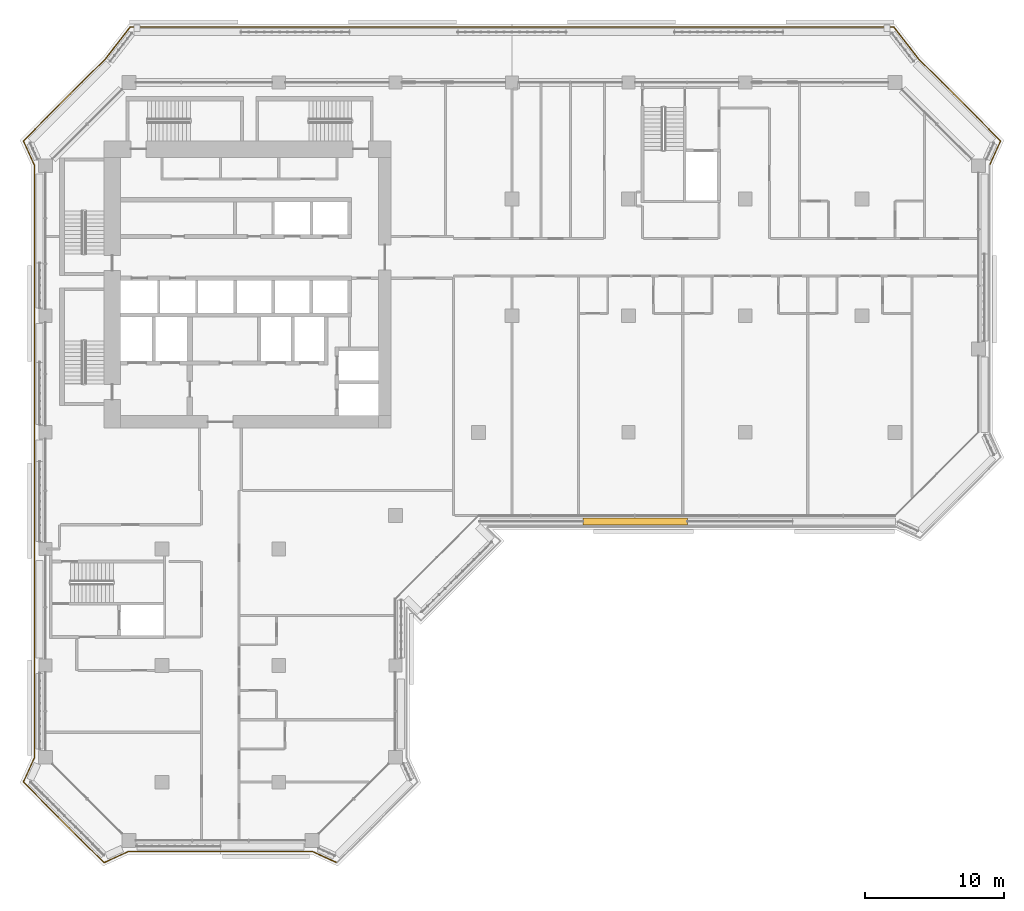
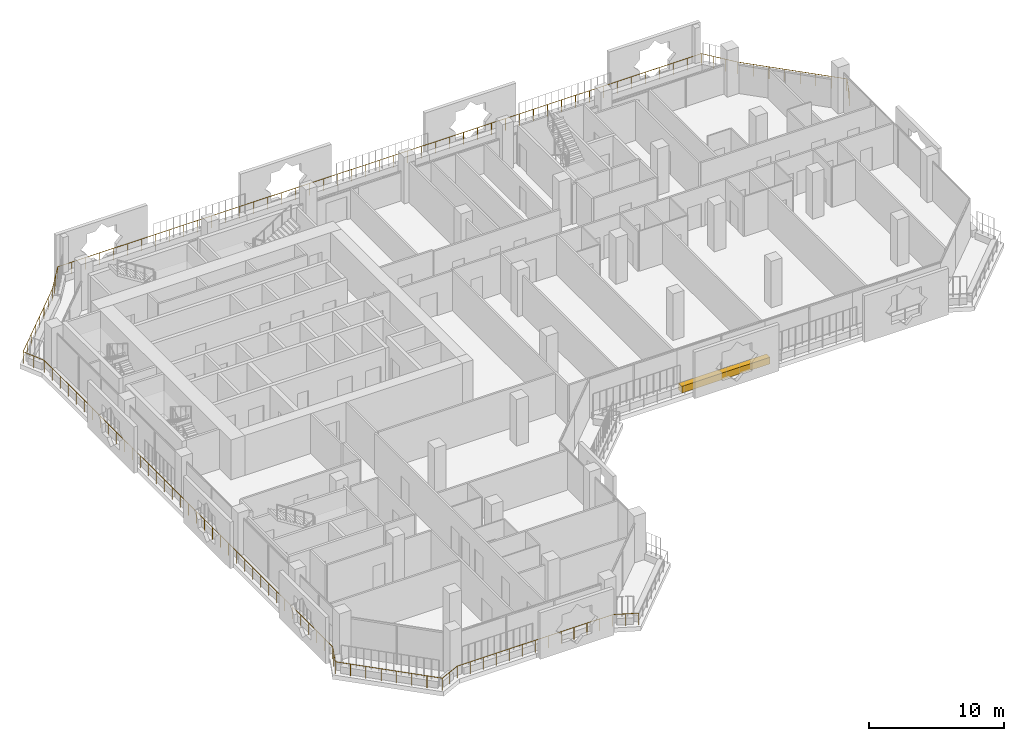
# One storey, part 18 of 22: 1 covering, 1 railing.
"""IFC4 building model written with IfcOpenShell, lengths in metres."""

from ifc_helpers import new_model, si_unit, direction, frame, origin, origin_2d, place, context, subcontext, project, spatial, rectangle, circle, extrude, material, material_profile, profile_set, type_object, element, save


model = new_model("IFC4")

# Units and contexts
model_context = context("Model", 3, precision=1e-05, world=origin(), true_north=direction((0.0, 1.0)))
body_context = subcontext(model_context, "Body", "Model", "MODEL_VIEW")
ifc_project = project(units=[si_unit("LENGTHUNIT", "METRE"), si_unit("AREAUNIT", "SQUARE_METRE"), si_unit("VOLUMEUNIT", "CUBIC_METRE"), si_unit("PLANEANGLEUNIT", "RADIAN"), si_unit("MASSUNIT", "GRAM", prefix="KILO")], contexts=[model_context])

# Site, building, storey
site_placement = place(None, origin())
site = spatial("IfcSite", under=ifc_project, at=site_placement, CompositionType="ELEMENT")
building_placement = place(site_placement, origin())
building = spatial("IfcBuilding", under=site, at=building_placement, Name="Kawkab Arch Medical Tower", CompositionType="ELEMENT")
storey_placement = place(building_placement, frame((0.0, 0.0, 187.800048828125)))
storey = spatial("IfcBuildingStorey", under=building, at=storey_placement, Name="L43", CompositionType="ELEMENT", Elevation=187.800048828125)

# Railing
ifc_material_1 = material(Name="Bronze anodised aluminium guard", Category="aluminium")
railing_type = type_object("IfcRailingType", Name="Loggia and terrace guard 1100", PredefinedType="GUARDRAIL", material=ifc_material_1)
railing_placement = place(storey_placement, frame((20.9951171875, -56.197998046875, 0.0)))
element("IfcRailing", 1, at=railing_placement, inside=storey, type_object=railing_type, Name="Guard L43.LOG-01.1.1", PredefinedType="GUARDRAIL", context=body_context, shape_type="SweptSolid", body=[
    extrude(circle(Radius=0.02392578125, at=origin_2d()), frame((0.0, 0.0, 1.076171875), z_axis=(-0.910044860056, 0.414509773934, 0.0), x_axis=(-0.414509773934, -0.910044860056, 0.0)), (0.0, 0.0, 1.0), 1.92529296875),
    extrude(circle(Radius=0.02392578125, at=origin_2d()), frame((-1.752197265625, 0.798095703125, 1.076171875), z_axis=(-1.0, 0.0, 0.0), x_axis=(0.0, -1.0, 0.0)), (0.0, 0.0, 1.0), 13.285888671875),
    extrude(circle(Radius=0.02392578125, at=origin_2d()), frame((-15.0380859375, 0.798095703125, 1.076171875), z_axis=(-0.910023069687, -0.414557610759, 0.0), x_axis=(0.414557610759, -0.910023069687, 0.0)), (0.0, 0.0, 1.0), 1.92529296875),
    extrude(circle(Radius=0.02392578125, at=origin_2d()), frame((-16.7900390625, 0.0, 1.076171875), z_axis=(-0.707106781187, 0.707106781187, 0.0), x_axis=(-0.707106781187, -0.707106781187, 0.0)), (0.0, 0.0, 1.0), 8.20654296875),
    extrude(circle(Radius=0.02392578125, at=origin_2d()), frame((-22.593017578125, 5.802978515625, 1.076171875), z_axis=(0.414452581809, 0.910070907914, 0.0), x_axis=(-0.910070907914, 0.414452581809, 0.0)), (0.0, 0.0, 1.0), 1.925048828125),
    extrude(circle(Radius=0.02392578125, at=origin_2d()), frame((-21.795166015625, 7.554931640625, 1.076171875), z_axis=(0.0, 1.0, 0.0), x_axis=(-1.0, 0.0, 0.0)), (0.0, 0.0, 1.0), 42.68603515625),
    extrude(circle(Radius=0.02392578125, at=origin_2d()), frame((-21.795166015625, 50.240966796875, 1.076171875), z_axis=(-0.414452581809, 0.910070907914, 0.0), x_axis=(-0.910070907914, -0.414452581809, 0.0)), (0.0, 0.0, 1.0), 1.925048828125),
    extrude(circle(Radius=0.02392578125, at=origin_2d()), frame((-22.593017578125, 51.992919921875, 1.076171875), z_axis=(0.707092175918, 0.707121386154, 0.0), x_axis=(-0.707121386154, 0.707092175918, 0.0)), (0.0, 0.0, 1.0), 8.358154296875),
    extrude(circle(Radius=0.02392578125, at=origin_2d()), frame((-16.68310546875, 57.903076171875, 1.076171875), z_axis=(0.614144026922, 0.789193964876, 0.0), x_axis=(-0.789193964876, 0.614144026922, 0.0)), (0.0, 0.0, 1.0), 2.907958984375),
    extrude(circle(Radius=0.02392578125, at=origin_2d()), frame((-14.897216796875, 60.197998046875, 1.076171875), z_axis=(1.0, 0.0, 0.0), x_axis=(0.0, 1.0, 0.0)), (0.0, 0.0, 1.0), 55.004150390625),
    extrude(circle(Radius=0.02392578125, at=origin_2d()), frame((40.10693359375, 60.197998046875, 1.076171875), z_axis=(0.614144026922, -0.789193964876, 0.0), x_axis=(0.789193964876, 0.614144026922, 0.0)), (0.0, 0.0, 1.0), 2.907958984375),
    extrude(circle(Radius=0.02392578125, at=origin_2d()), frame((41.892822265625, 57.903076171875, 1.076171875), z_axis=(0.707106781187, -0.707106781187, 0.0), x_axis=(0.707106781187, 0.707106781187, 0.0)), (0.0, 0.0, 1.0), 8.358154296875),
    extrude(circle(Radius=0.02392578125, at=origin_2d()), frame((47.802978515625, 51.992919921875, 1.076171875), z_axis=(-0.414557610759, -0.910023069687, 0.0), x_axis=(0.910023069687, -0.414557610759, 0.0)), (0.0, 0.0, 1.0), 1.92529296875),
    extrude(circle(Radius=0.02099609375, at=origin_2d()), origin(), (0.0, 0.0, 1.0), 1.052001953125),
    extrude(circle(Radius=0.02099609375, at=origin_2d()), frame((-0.8759765625, 0.39892578125, 0.0)), (0.0, 0.0, 1.0), 1.052001953125),
    extrude(circle(Radius=0.02099609375, at=origin_2d()), frame((-1.752197265625, 0.798095703125, 0.0)), (0.0, 0.0, 1.0), 1.052001953125),
    extrude(circle(Radius=0.02099609375, at=origin_2d()), frame((-2.859375, 0.798095703125, 0.0)), (0.0, 0.0, 1.0), 1.052001953125),
    extrude(circle(Radius=0.02099609375, at=origin_2d()), frame((-3.966552734375, 0.798095703125, 0.0)), (0.0, 0.0, 1.0), 1.052001953125),
    extrude(circle(Radius=0.02099609375, at=origin_2d()), frame((-5.07373046875, 0.798095703125, 0.0)), (0.0, 0.0, 1.0), 1.052001953125),
    extrude(circle(Radius=0.02099609375, at=origin_2d()), frame((-6.180908203125, 0.798095703125, 0.0)), (0.0, 0.0, 1.0), 1.052001953125),
    extrude(circle(Radius=0.02099609375, at=origin_2d()), frame((-7.2880859375, 0.798095703125, 0.0)), (0.0, 0.0, 1.0), 1.052001953125),
    extrude(circle(Radius=0.02099609375, at=origin_2d()), frame((-8.39501953125, 0.798095703125, 0.0)), (0.0, 0.0, 1.0), 1.052001953125),
    extrude(circle(Radius=0.02099609375, at=origin_2d()), frame((-9.502197265625, 0.798095703125, 0.0)), (0.0, 0.0, 1.0), 1.052001953125),
    extrude(circle(Radius=0.02099609375, at=origin_2d()), frame((-10.609375, 0.798095703125, 0.0)), (0.0, 0.0, 1.0), 1.052001953125),
    extrude(circle(Radius=0.02099609375, at=origin_2d()), frame((-11.716552734375, 0.798095703125, 0.0)), (0.0, 0.0, 1.0), 1.052001953125),
    extrude(circle(Radius=0.02099609375, at=origin_2d()), frame((-12.82373046875, 0.798095703125, 0.0)), (0.0, 0.0, 1.0), 1.052001953125),
    extrude(circle(Radius=0.02099609375, at=origin_2d()), frame((-13.930908203125, 0.798095703125, 0.0)), (0.0, 0.0, 1.0), 1.052001953125),
    extrude(circle(Radius=0.02099609375, at=origin_2d()), frame((-15.0380859375, 0.798095703125, 0.0)), (0.0, 0.0, 1.0), 1.052001953125),
    extrude(circle(Radius=0.02099609375, at=origin_2d()), frame((-15.9140625, 0.39892578125, 0.0)), (0.0, 0.0, 1.0), 1.052001953125),
    extrude(circle(Radius=0.02099609375, at=origin_2d()), frame((-16.7900390625, 0.0, 0.0)), (0.0, 0.0, 1.0), 1.052001953125),
    extrude(circle(Radius=0.02099609375, at=origin_2d()), frame((-17.619140625, 0.8291015625, 0.0)), (0.0, 0.0, 1.0), 1.052001953125),
    extrude(circle(Radius=0.02099609375, at=origin_2d()), frame((-18.447998046875, 1.657958984375, 0.0)), (0.0, 0.0, 1.0), 1.052001953125),
    extrude(circle(Radius=0.02099609375, at=origin_2d()), frame((-19.277099609375, 2.487060546875, 0.0)), (0.0, 0.0, 1.0), 1.052001953125),
    extrude(circle(Radius=0.02099609375, at=origin_2d()), frame((-20.10595703125, 3.31591796875, 0.0)), (0.0, 0.0, 1.0), 1.052001953125),
    extrude(circle(Radius=0.02099609375, at=origin_2d()), frame((-20.93505859375, 4.14501953125, 0.0)), (0.0, 0.0, 1.0), 1.052001953125),
    extrude(circle(Radius=0.02099609375, at=origin_2d()), frame((-21.763916015625, 4.973876953125, 0.0)), (0.0, 0.0, 1.0), 1.052001953125),
    extrude(circle(Radius=0.02099609375, at=origin_2d()), frame((-22.593017578125, 5.802978515625, 0.0)), (0.0, 0.0, 1.0), 1.052001953125),
    extrude(circle(Radius=0.02099609375, at=origin_2d()), frame((-22.194091796875, 6.678955078125, 0.0)), (0.0, 0.0, 1.0), 1.052001953125),
    extrude(circle(Radius=0.02099609375, at=origin_2d()), frame((-21.795166015625, 7.554931640625, 0.0)), (0.0, 0.0, 1.0), 1.052001953125),
    extrude(circle(Radius=0.02099609375, at=origin_2d()), frame((-21.795166015625, 8.74072265625, 0.0)), (0.0, 0.0, 1.0), 1.052001953125),
    extrude(circle(Radius=0.02099609375, at=origin_2d()), frame((-21.795166015625, 9.92626953125, 0.0)), (0.0, 0.0, 1.0), 1.052001953125),
    extrude(circle(Radius=0.02099609375, at=origin_2d()), frame((-21.795166015625, 11.112060546875, 0.0)), (0.0, 0.0, 1.0), 1.052001953125),
    extrude(circle(Radius=0.02099609375, at=origin_2d()), frame((-21.795166015625, 12.2978515625, 0.0)), (0.0, 0.0, 1.0), 1.052001953125),
    extrude(circle(Radius=0.02099609375, at=origin_2d()), frame((-21.795166015625, 13.483642578125, 0.0)), (0.0, 0.0, 1.0), 1.052001953125),
    extrude(circle(Radius=0.02099609375, at=origin_2d()), frame((-21.795166015625, 14.669189453125, 0.0)), (0.0, 0.0, 1.0), 1.052001953125),
    extrude(circle(Radius=0.02099609375, at=origin_2d()), frame((-21.795166015625, 15.85498046875, 0.0)), (0.0, 0.0, 1.0), 1.052001953125),
    extrude(circle(Radius=0.02099609375, at=origin_2d()), frame((-21.795166015625, 17.040771484375, 0.0)), (0.0, 0.0, 1.0), 1.052001953125),
    extrude(circle(Radius=0.02099609375, at=origin_2d()), frame((-21.795166015625, 18.2265625, 0.0)), (0.0, 0.0, 1.0), 1.052001953125),
    extrude(circle(Radius=0.02099609375, at=origin_2d()), frame((-21.795166015625, 19.412109375, 0.0)), (0.0, 0.0, 1.0), 1.052001953125),
    extrude(circle(Radius=0.02099609375, at=origin_2d()), frame((-21.795166015625, 20.597900390625, 0.0)), (0.0, 0.0, 1.0), 1.052001953125),
    extrude(circle(Radius=0.02099609375, at=origin_2d()), frame((-21.795166015625, 21.78369140625, 0.0)), (0.0, 0.0, 1.0), 1.052001953125),
    extrude(circle(Radius=0.02099609375, at=origin_2d()), frame((-21.795166015625, 22.96923828125, 0.0)), (0.0, 0.0, 1.0), 1.052001953125),
    extrude(circle(Radius=0.02099609375, at=origin_2d()), frame((-21.795166015625, 24.155029296875, 0.0)), (0.0, 0.0, 1.0), 1.052001953125),
    extrude(circle(Radius=0.02099609375, at=origin_2d()), frame((-21.795166015625, 25.3408203125, 0.0)), (0.0, 0.0, 1.0), 1.052001953125),
    extrude(circle(Radius=0.02099609375, at=origin_2d()), frame((-21.795166015625, 26.526611328125, 0.0)), (0.0, 0.0, 1.0), 1.052001953125),
    extrude(circle(Radius=0.02099609375, at=origin_2d()), frame((-21.795166015625, 27.712158203125, 0.0)), (0.0, 0.0, 1.0), 1.052001953125),
    extrude(circle(Radius=0.02099609375, at=origin_2d()), frame((-21.795166015625, 28.89794921875, 0.0)), (0.0, 0.0, 1.0), 1.052001953125),
    extrude(circle(Radius=0.02099609375, at=origin_2d()), frame((-21.795166015625, 30.083740234375, 0.0)), (0.0, 0.0, 1.0), 1.052001953125),
    extrude(circle(Radius=0.02099609375, at=origin_2d()), frame((-21.795166015625, 31.269287109375, 0.0)), (0.0, 0.0, 1.0), 1.052001953125),
    extrude(circle(Radius=0.02099609375, at=origin_2d()), frame((-21.795166015625, 32.455078125, 0.0)), (0.0, 0.0, 1.0), 1.052001953125),
    extrude(circle(Radius=0.02099609375, at=origin_2d()), frame((-21.795166015625, 33.640869140625, 0.0)), (0.0, 0.0, 1.0), 1.052001953125),
    extrude(circle(Radius=0.02099609375, at=origin_2d()), frame((-21.795166015625, 34.82666015625, 0.0)), (0.0, 0.0, 1.0), 1.052001953125),
    extrude(circle(Radius=0.02099609375, at=origin_2d()), frame((-21.795166015625, 36.01220703125, 0.0)), (0.0, 0.0, 1.0), 1.052001953125),
    extrude(circle(Radius=0.02099609375, at=origin_2d()), frame((-21.795166015625, 37.197998046875, 0.0)), (0.0, 0.0, 1.0), 1.052001953125),
    extrude(circle(Radius=0.02099609375, at=origin_2d()), frame((-21.795166015625, 38.3837890625, 0.0)), (0.0, 0.0, 1.0), 1.052001953125),
    extrude(circle(Radius=0.02099609375, at=origin_2d()), frame((-21.795166015625, 39.5693359375, 0.0)), (0.0, 0.0, 1.0), 1.052001953125),
    extrude(circle(Radius=0.02099609375, at=origin_2d()), frame((-21.795166015625, 40.755126953125, 0.0)), (0.0, 0.0, 1.0), 1.052001953125),
    extrude(circle(Radius=0.02099609375, at=origin_2d()), frame((-21.795166015625, 41.94091796875, 0.0)), (0.0, 0.0, 1.0), 1.052001953125),
    extrude(circle(Radius=0.02099609375, at=origin_2d()), frame((-21.795166015625, 43.126708984375, 0.0)), (0.0, 0.0, 1.0), 1.052001953125),
    extrude(circle(Radius=0.02099609375, at=origin_2d()), frame((-21.795166015625, 44.312255859375, 0.0)), (0.0, 0.0, 1.0), 1.052001953125),
    extrude(circle(Radius=0.02099609375, at=origin_2d()), frame((-21.795166015625, 45.498046875, 0.0)), (0.0, 0.0, 1.0), 1.052001953125),
    extrude(circle(Radius=0.02099609375, at=origin_2d()), frame((-21.795166015625, 46.683837890625, 0.0)), (0.0, 0.0, 1.0), 1.052001953125),
    extrude(circle(Radius=0.02099609375, at=origin_2d()), frame((-21.795166015625, 47.86962890625, 0.0)), (0.0, 0.0, 1.0), 1.052001953125),
    extrude(circle(Radius=0.02099609375, at=origin_2d()), frame((-21.795166015625, 49.05517578125, 0.0)), (0.0, 0.0, 1.0), 1.052001953125),
    extrude(circle(Radius=0.02099609375, at=origin_2d()), frame((-21.795166015625, 50.240966796875, 0.0)), (0.0, 0.0, 1.0), 1.052001953125),
    extrude(circle(Radius=0.02099609375, at=origin_2d()), frame((-22.194091796875, 51.116943359375, 0.0)), (0.0, 0.0, 1.0), 1.052001953125),
    extrude(circle(Radius=0.02099609375, at=origin_2d()), frame((-22.593017578125, 51.992919921875, 0.0)), (0.0, 0.0, 1.0), 1.052001953125),
    extrude(circle(Radius=0.02099609375, at=origin_2d()), frame((-21.748779296875, 52.837158203125, 0.0)), (0.0, 0.0, 1.0), 1.052001953125),
    extrude(circle(Radius=0.02099609375, at=origin_2d()), frame((-20.904541015625, 53.681640625, 0.0)), (0.0, 0.0, 1.0), 1.052001953125),
    extrude(circle(Radius=0.02099609375, at=origin_2d()), frame((-20.060302734375, 54.52587890625, 0.0)), (0.0, 0.0, 1.0), 1.052001953125),
    extrude(circle(Radius=0.02099609375, at=origin_2d()), frame((-19.2158203125, 55.3701171875, 0.0)), (0.0, 0.0, 1.0), 1.052001953125),
    extrude(circle(Radius=0.02099609375, at=origin_2d()), frame((-18.37158203125, 56.21435546875, 0.0)), (0.0, 0.0, 1.0), 1.052001953125),
    extrude(circle(Radius=0.02099609375, at=origin_2d()), frame((-17.52734375, 57.058837890625, 0.0)), (0.0, 0.0, 1.0), 1.052001953125),
    extrude(circle(Radius=0.02099609375, at=origin_2d()), frame((-16.68310546875, 57.903076171875, 0.0)), (0.0, 0.0, 1.0), 1.052001953125),
    extrude(circle(Radius=0.02099609375, at=origin_2d()), frame((-16.087890625, 58.66796875, 0.0)), (0.0, 0.0, 1.0), 1.052001953125),
    extrude(circle(Radius=0.02099609375, at=origin_2d()), frame((-15.492431640625, 59.43310546875, 0.0)), (0.0, 0.0, 1.0), 1.052001953125),
    extrude(circle(Radius=0.02099609375, at=origin_2d()), frame((-14.897216796875, 60.197998046875, 0.0)), (0.0, 0.0, 1.0), 1.052001953125),
    extrude(circle(Radius=0.02099609375, at=origin_2d()), frame((-13.701416015625, 60.197998046875, 0.0)), (0.0, 0.0, 1.0), 1.052001953125),
    extrude(circle(Radius=0.02099609375, at=origin_2d()), frame((-12.505615234375, 60.197998046875, 0.0)), (0.0, 0.0, 1.0), 1.052001953125),
    extrude(circle(Radius=0.02099609375, at=origin_2d()), frame((-11.31005859375, 60.197998046875, 0.0)), (0.0, 0.0, 1.0), 1.052001953125),
    extrude(circle(Radius=0.02099609375, at=origin_2d()), frame((-10.1142578125, 60.197998046875, 0.0)), (0.0, 0.0, 1.0), 1.052001953125),
    extrude(circle(Radius=0.02099609375, at=origin_2d()), frame((-8.91845703125, 60.197998046875, 0.0)), (0.0, 0.0, 1.0), 1.052001953125),
    extrude(circle(Radius=0.02099609375, at=origin_2d()), frame((-7.72265625, 60.197998046875, 0.0)), (0.0, 0.0, 1.0), 1.052001953125),
    extrude(circle(Radius=0.02099609375, at=origin_2d()), frame((-6.527099609375, 60.197998046875, 0.0)), (0.0, 0.0, 1.0), 1.052001953125),
    extrude(circle(Radius=0.02099609375, at=origin_2d()), frame((-5.331298828125, 60.197998046875, 0.0)), (0.0, 0.0, 1.0), 1.052001953125),
    extrude(circle(Radius=0.02099609375, at=origin_2d()), frame((-4.135498046875, 60.197998046875, 0.0)), (0.0, 0.0, 1.0), 1.052001953125),
    extrude(circle(Radius=0.02099609375, at=origin_2d()), frame((-2.939697265625, 60.197998046875, 0.0)), (0.0, 0.0, 1.0), 1.052001953125),
    extrude(circle(Radius=0.02099609375, at=origin_2d()), frame((-1.744140625, 60.197998046875, 0.0)), (0.0, 0.0, 1.0), 1.052001953125),
    extrude(circle(Radius=0.02099609375, at=origin_2d()), frame((-0.54833984375, 60.197998046875, 0.0)), (0.0, 0.0, 1.0), 1.052001953125),
    extrude(circle(Radius=0.02099609375, at=origin_2d()), frame((0.6474609375, 60.197998046875, 0.0)), (0.0, 0.0, 1.0), 1.052001953125),
    extrude(circle(Radius=0.02099609375, at=origin_2d()), frame((1.84326171875, 60.197998046875, 0.0)), (0.0, 0.0, 1.0), 1.052001953125),
    extrude(circle(Radius=0.02099609375, at=origin_2d()), frame((3.038818359375, 60.197998046875, 0.0)), (0.0, 0.0, 1.0), 1.052001953125),
    extrude(circle(Radius=0.02099609375, at=origin_2d()), frame((4.234619140625, 60.197998046875, 0.0)), (0.0, 0.0, 1.0), 1.052001953125),
    extrude(circle(Radius=0.02099609375, at=origin_2d()), frame((5.430419921875, 60.197998046875, 0.0)), (0.0, 0.0, 1.0), 1.052001953125),
    extrude(circle(Radius=0.02099609375, at=origin_2d()), frame((6.626220703125, 60.197998046875, 0.0)), (0.0, 0.0, 1.0), 1.052001953125),
    extrude(circle(Radius=0.02099609375, at=origin_2d()), frame((7.82177734375, 60.197998046875, 0.0)), (0.0, 0.0, 1.0), 1.052001953125),
    extrude(circle(Radius=0.02099609375, at=origin_2d()), frame((9.017578125, 60.197998046875, 0.0)), (0.0, 0.0, 1.0), 1.052001953125),
    extrude(circle(Radius=0.02099609375, at=origin_2d()), frame((10.21337890625, 60.197998046875, 0.0)), (0.0, 0.0, 1.0), 1.052001953125),
    extrude(circle(Radius=0.02099609375, at=origin_2d()), frame((11.4091796875, 60.197998046875, 0.0)), (0.0, 0.0, 1.0), 1.052001953125),
    extrude(circle(Radius=0.02099609375, at=origin_2d()), frame((12.60498046875, 60.197998046875, 0.0)), (0.0, 0.0, 1.0), 1.052001953125),
    extrude(circle(Radius=0.02099609375, at=origin_2d()), frame((13.800537109375, 60.197998046875, 0.0)), (0.0, 0.0, 1.0), 1.052001953125),
    extrude(circle(Radius=0.02099609375, at=origin_2d()), frame((14.996337890625, 60.197998046875, 0.0)), (0.0, 0.0, 1.0), 1.052001953125),
    extrude(circle(Radius=0.02099609375, at=origin_2d()), frame((16.192138671875, 60.197998046875, 0.0)), (0.0, 0.0, 1.0), 1.052001953125),
    extrude(circle(Radius=0.02099609375, at=origin_2d()), frame((17.387939453125, 60.197998046875, 0.0)), (0.0, 0.0, 1.0), 1.052001953125),
    extrude(circle(Radius=0.02099609375, at=origin_2d()), frame((18.58349609375, 60.197998046875, 0.0)), (0.0, 0.0, 1.0), 1.052001953125),
    extrude(circle(Radius=0.02099609375, at=origin_2d()), frame((19.779296875, 60.197998046875, 0.0)), (0.0, 0.0, 1.0), 1.052001953125),
    extrude(circle(Radius=0.02099609375, at=origin_2d()), frame((20.97509765625, 60.197998046875, 0.0)), (0.0, 0.0, 1.0), 1.052001953125),
    extrude(circle(Radius=0.02099609375, at=origin_2d()), frame((22.1708984375, 60.197998046875, 0.0)), (0.0, 0.0, 1.0), 1.052001953125),
    extrude(circle(Radius=0.02099609375, at=origin_2d()), frame((23.366455078125, 60.197998046875, 0.0)), (0.0, 0.0, 1.0), 1.052001953125),
    extrude(circle(Radius=0.02099609375, at=origin_2d()), frame((24.562255859375, 60.197998046875, 0.0)), (0.0, 0.0, 1.0), 1.052001953125),
    extrude(circle(Radius=0.02099609375, at=origin_2d()), frame((25.758056640625, 60.197998046875, 0.0)), (0.0, 0.0, 1.0), 1.052001953125),
    extrude(circle(Radius=0.02099609375, at=origin_2d()), frame((26.953857421875, 60.197998046875, 0.0)), (0.0, 0.0, 1.0), 1.052001953125),
    extrude(circle(Radius=0.02099609375, at=origin_2d()), frame((28.1494140625, 60.197998046875, 0.0)), (0.0, 0.0, 1.0), 1.052001953125),
    extrude(circle(Radius=0.02099609375, at=origin_2d()), frame((29.34521484375, 60.197998046875, 0.0)), (0.0, 0.0, 1.0), 1.052001953125),
    extrude(circle(Radius=0.02099609375, at=origin_2d()), frame((30.541015625, 60.197998046875, 0.0)), (0.0, 0.0, 1.0), 1.052001953125),
    extrude(circle(Radius=0.02099609375, at=origin_2d()), frame((31.73681640625, 60.197998046875, 0.0)), (0.0, 0.0, 1.0), 1.052001953125),
    extrude(circle(Radius=0.02099609375, at=origin_2d()), frame((32.932373046875, 60.197998046875, 0.0)), (0.0, 0.0, 1.0), 1.052001953125),
    extrude(circle(Radius=0.02099609375, at=origin_2d()), frame((34.128173828125, 60.197998046875, 0.0)), (0.0, 0.0, 1.0), 1.052001953125),
    extrude(circle(Radius=0.02099609375, at=origin_2d()), frame((35.323974609375, 60.197998046875, 0.0)), (0.0, 0.0, 1.0), 1.052001953125),
    extrude(circle(Radius=0.02099609375, at=origin_2d()), frame((36.519775390625, 60.197998046875, 0.0)), (0.0, 0.0, 1.0), 1.052001953125),
    extrude(circle(Radius=0.02099609375, at=origin_2d()), frame((37.71533203125, 60.197998046875, 0.0)), (0.0, 0.0, 1.0), 1.052001953125),
    extrude(circle(Radius=0.02099609375, at=origin_2d()), frame((38.9111328125, 60.197998046875, 0.0)), (0.0, 0.0, 1.0), 1.052001953125),
    extrude(circle(Radius=0.02099609375, at=origin_2d()), frame((40.10693359375, 60.197998046875, 0.0)), (0.0, 0.0, 1.0), 1.052001953125),
    extrude(circle(Radius=0.02099609375, at=origin_2d()), frame((40.7021484375, 59.43310546875, 0.0)), (0.0, 0.0, 1.0), 1.052001953125),
    extrude(circle(Radius=0.02099609375, at=origin_2d()), frame((41.297607421875, 58.66796875, 0.0)), (0.0, 0.0, 1.0), 1.052001953125),
    extrude(circle(Radius=0.02099609375, at=origin_2d()), frame((41.892822265625, 57.903076171875, 0.0)), (0.0, 0.0, 1.0), 1.052001953125),
    extrude(circle(Radius=0.02099609375, at=origin_2d()), frame((42.737060546875, 57.058837890625, 0.0)), (0.0, 0.0, 1.0), 1.052001953125),
    extrude(circle(Radius=0.02099609375, at=origin_2d()), frame((43.58154296875, 56.21435546875, 0.0)), (0.0, 0.0, 1.0), 1.052001953125),
    extrude(circle(Radius=0.02099609375, at=origin_2d()), frame((44.42578125, 55.3701171875, 0.0)), (0.0, 0.0, 1.0), 1.052001953125),
    extrude(circle(Radius=0.02099609375, at=origin_2d()), frame((45.27001953125, 54.52587890625, 0.0)), (0.0, 0.0, 1.0), 1.052001953125),
    extrude(circle(Radius=0.02099609375, at=origin_2d()), frame((46.1142578125, 53.681640625, 0.0)), (0.0, 0.0, 1.0), 1.052001953125),
    extrude(circle(Radius=0.02099609375, at=origin_2d()), frame((46.958740234375, 52.837158203125, 0.0)), (0.0, 0.0, 1.0), 1.052001953125),
    extrude(circle(Radius=0.02099609375, at=origin_2d()), frame((47.802978515625, 51.992919921875, 0.0)), (0.0, 0.0, 1.0), 1.052001953125),
    extrude(circle(Radius=0.02099609375, at=origin_2d()), frame((47.40380859375, 51.116943359375, 0.0)), (0.0, 0.0, 1.0), 1.052001953125),
    extrude(circle(Radius=0.02099609375, at=origin_2d()), frame((47.0048828125, 50.240966796875, 0.0)), (0.0, 0.0, 1.0), 1.052001953125),
])

# Covering
ifc_material_2 = material(Name="Planting soil in a precast trough", Category="concrete")
ifc_material_profile = material_profile(ifc_material_2, rectangle(XDim=0.5, YDim=0.60009765625, at=origin_2d()), Name="Trough 500x600")
ifc_profile_set = profile_set([ifc_material_profile], Name="Planting soil in a precast trough")
covering_type = type_object("IfcCoveringType", Name="Planter trough 500 x 600", PredefinedType="USERDEFINED", material=ifc_profile_set)
covering_placement = place(storey_placement, frame((46.2548828125, -31.6201171875, 0.300048828125), z_axis=(-1.0, 0.0, 0.0), x_axis=(0.0, -1.0, 0.0)))
element("IfcCovering", 2, at=covering_placement, inside=storey, type_object=covering_type, Name="Planter L43.LOG-01-01.36", ObjectType="PLANTER", PredefinedType="USERDEFINED", context=body_context, shape_type="SweptSolid", body=[
    extrude(rectangle(XDim=0.5, YDim=0.60009765625, at=origin_2d()), origin(), (0.0, 0.0, 1.0), 7.534912109375),
])

save(model, "model.ifc")
